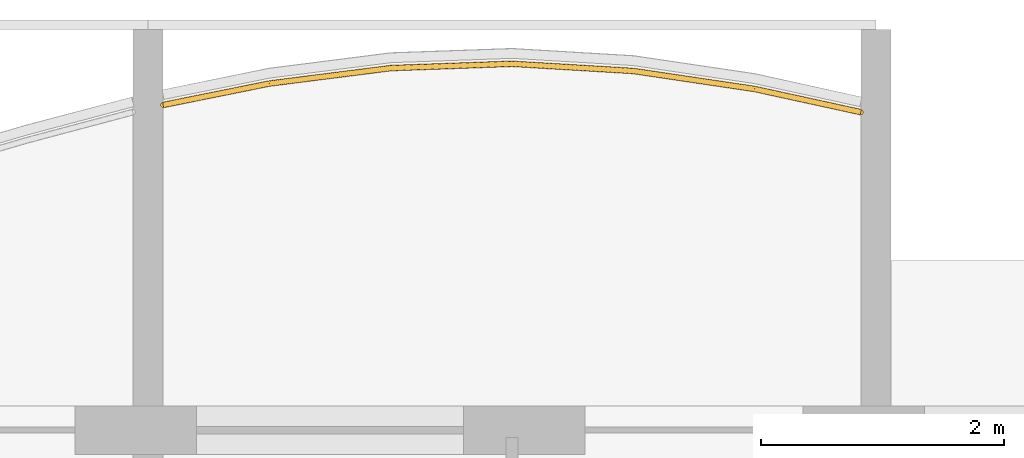
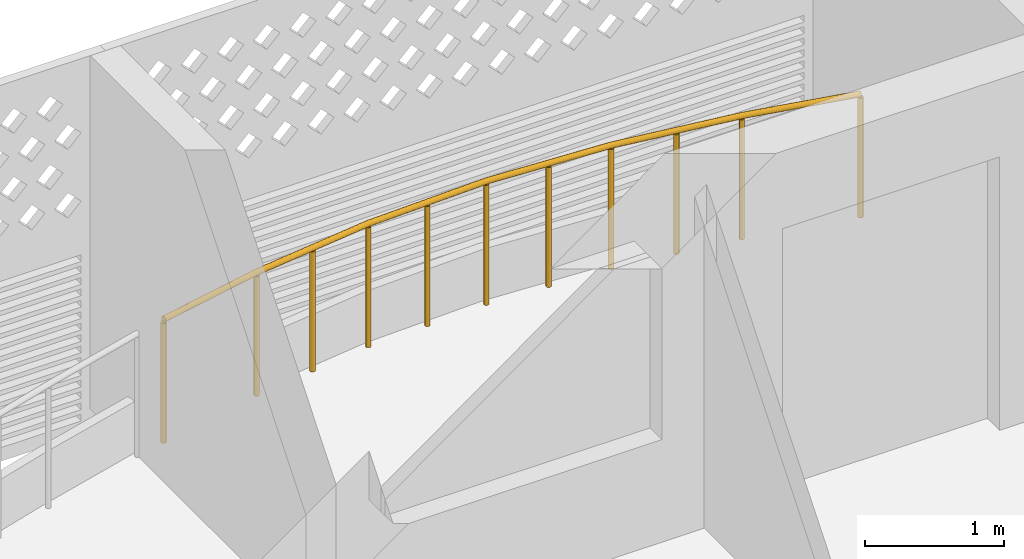
# One storey, part 21 of 26: 1 railing.
"""IFC4 building model written with IfcOpenShell, lengths in metres."""

from ifc_helpers import new_model, si_unit, direction, frame, origin, origin_2d, place, context, subcontext, project, spatial, circle, extrude, material, type_object, element, save


model = new_model("IFC4")

# Units and contexts
model_context = context("Model", 3, precision=1e-05, world=origin(), true_north=direction((0.0, 1.0)))
body_context = subcontext(model_context, "Body", "Model", "MODEL_VIEW")
ifc_project = project(units=[si_unit("LENGTHUNIT", "METRE"), si_unit("AREAUNIT", "SQUARE_METRE"), si_unit("VOLUMEUNIT", "CUBIC_METRE"), si_unit("PLANEANGLEUNIT", "RADIAN"), si_unit("MASSUNIT", "GRAM", prefix="KILO")], contexts=[model_context])

# Site, building, storey
site_placement = place(None, origin())
site = spatial("IfcSite", under=ifc_project, at=site_placement, CompositionType="ELEMENT")
building_placement = place(site_placement, origin())
building = spatial("IfcBuilding", under=site, at=building_placement, Name="Poui Terraces", CompositionType="ELEMENT")
storey_placement = place(building_placement, frame((0.0, 0.0, 171.89990234375)))
storey = spatial("IfcBuildingStorey", under=building, at=storey_placement, Name="L47", CompositionType="ELEMENT", Elevation=171.89990234375)

# Railing
ifc_material = material(Name="Painted steel fretwork", Category="steel")
railing_type = type_object("IfcRailingType", Name="BALCONY GUARD 1100", PredefinedType="GUARDRAIL", material=ifc_material)
railing_placement = place(storey_placement, frame((54.125, 43.8798828125, 0.0)))
element("IfcRailing", 1, at=railing_placement, inside=storey, type_object=railing_type, Name="BALCONY GUARD", PredefinedType="GUARDRAIL", context=body_context, shape_type="SweptSolid", body=[
    extrude(circle(Radius=0.02392578125, at=origin_2d()), frame((0.0, 0.0, 1.076171875), z_axis=(0.980253214179, 0.197746393374, 0.0), x_axis=(-0.197746393374, 0.980253214179, 0.0)), (0.0, 0.0, 1.0), 0.892578125),
    extrude(circle(Radius=0.02392578125, at=origin_2d()), frame((0.875, 0.176513671875, 1.076171875), z_axis=(0.992007284566, 0.126180614077, 0.0), x_axis=(-0.126180614077, 0.992007284566, 0.0)), (0.0, 0.0, 1.0), 1.008056640625),
    extrude(circle(Radius=0.02392578125, at=origin_2d()), frame((1.875, 0.3037109375, 1.076171875), z_axis=(0.999365338401, 0.035621909035, 0.0), x_axis=(-0.035621909035, 0.999365338401, 0.0)), (0.0, 0.0, 1.0), 1.000732421875),
    extrude(circle(Radius=0.02392578125, at=origin_2d()), frame((2.875, 0.33935546875, 1.076171875), z_axis=(0.998244834412, -0.05922204462, 0.0), x_axis=(0.05922204462, 0.998244834412, 0.0)), (0.0, 0.0, 1.0), 1.001708984375),
    extrude(circle(Radius=0.02392578125, at=origin_2d()), frame((3.875, 0.280029296875, 1.076171875), z_axis=(0.989161931015, -0.146828724135, 0.0), x_axis=(0.146828724135, 0.989161931015, 0.0)), (0.0, 0.0, 1.0), 1.010986328125),
    extrude(circle(Radius=0.02392578125, at=origin_2d()), frame((4.875, 0.131591796875, 1.076171875), z_axis=(0.977013696832, -0.213176537646, 0.0), x_axis=(0.213176537646, 0.977013696832, 0.0)), (0.0, 0.0, 1.0), 0.8955078125),
    extrude(circle(Radius=0.02099609375, at=origin_2d()), origin(), (0.0, 0.0, 1.0), 1.052001953125),
    extrude(circle(Radius=0.02099609375, at=origin_2d()), frame((0.875, 0.176513671875, 0.0)), (0.0, 0.0, 1.0), 1.052001953125),
    extrude(circle(Radius=0.02099609375, at=origin_2d()), frame((1.375, 0.240234375, 0.0)), (0.0, 0.0, 1.0), 1.052001953125),
    extrude(circle(Radius=0.02099609375, at=origin_2d()), frame((1.875, 0.3037109375, 0.0)), (0.0, 0.0, 1.0), 1.052001953125),
    extrude(circle(Radius=0.02099609375, at=origin_2d()), frame((2.375, 0.321533203125, 0.0)), (0.0, 0.0, 1.0), 1.052001953125),
    extrude(circle(Radius=0.02099609375, at=origin_2d()), frame((2.875, 0.33935546875, 0.0)), (0.0, 0.0, 1.0), 1.052001953125),
    extrude(circle(Radius=0.02099609375, at=origin_2d()), frame((3.375, 0.3095703125, 0.0)), (0.0, 0.0, 1.0), 1.052001953125),
    extrude(circle(Radius=0.02099609375, at=origin_2d()), frame((3.875, 0.280029296875, 0.0)), (0.0, 0.0, 1.0), 1.052001953125),
    extrude(circle(Radius=0.02099609375, at=origin_2d()), frame((4.375, 0.205810546875, 0.0)), (0.0, 0.0, 1.0), 1.052001953125),
    extrude(circle(Radius=0.02099609375, at=origin_2d()), frame((4.875, 0.131591796875, 0.0)), (0.0, 0.0, 1.0), 1.052001953125),
    extrude(circle(Radius=0.02099609375, at=origin_2d()), frame((5.75, -0.059326171875, 0.0)), (0.0, 0.0, 1.0), 1.052001953125),
])

save(model, "model.ifc")
